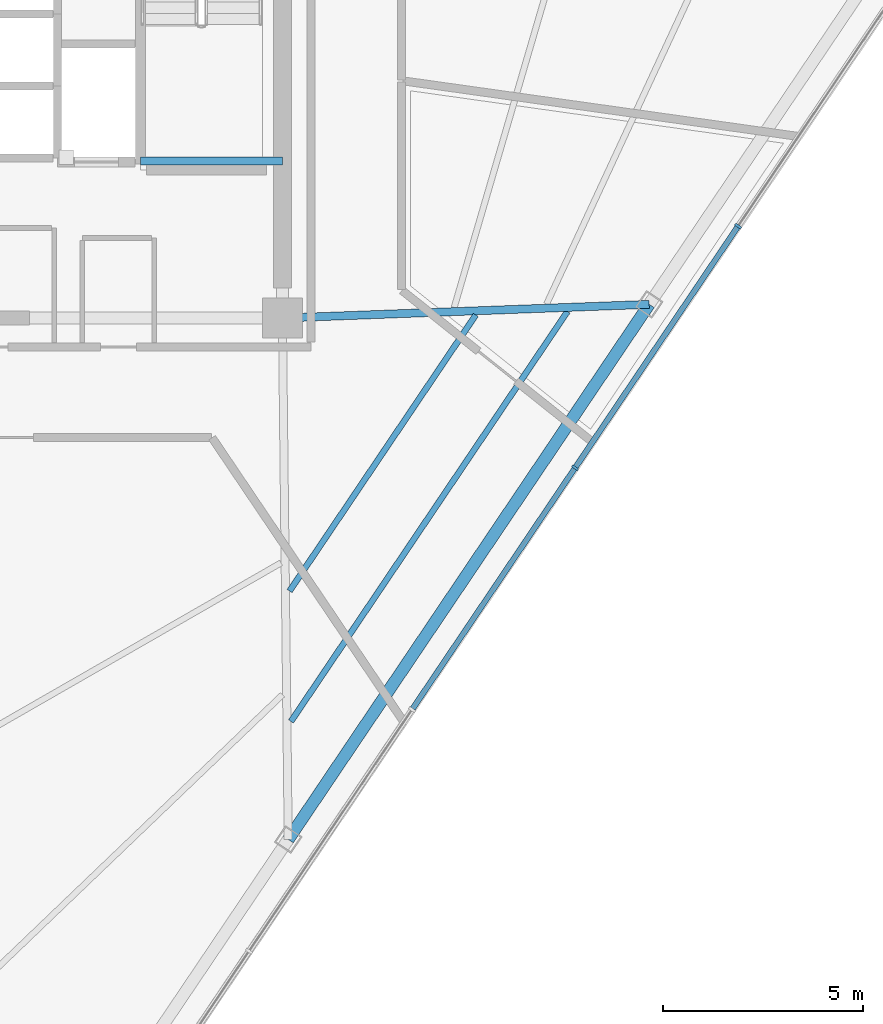
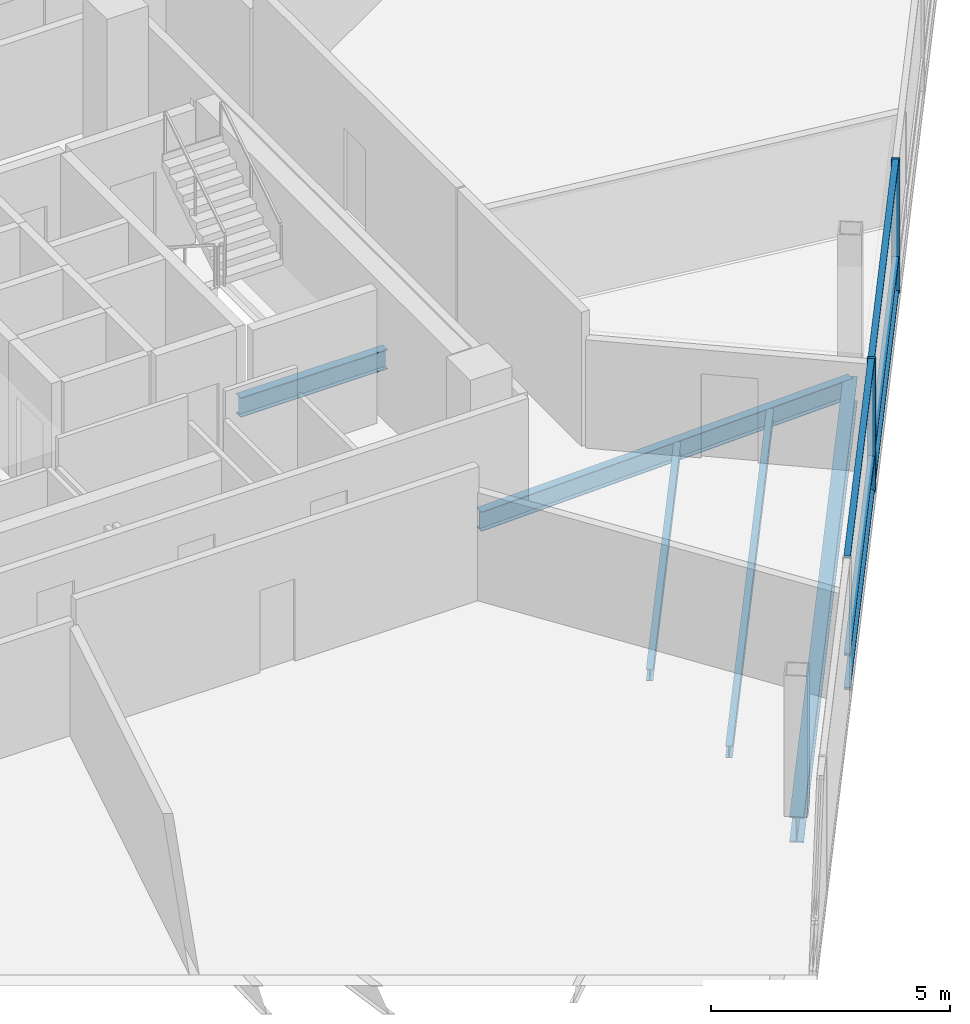
# One storey, part 4 of 13: 8 members, 5 beams, 1 element without a shape of its own.
"""IFC4 building model written with IfcOpenShell, lengths in metres."""

from ifc_helpers import new_model, si_unit, direction, frame, origin, origin_2d, place, context, subcontext, project, spatial, rectangle, i_section, extrude, material, layer, layer_set, material_profile, profile_set, type_object, element, aggregate, save


model = new_model("IFC4")

# Units and contexts
model_context = context("Model", 3, precision=1e-05, world=origin(), true_north=direction((0.0, 1.0)))
body_context = subcontext(model_context, "Body", "Model", "MODEL_VIEW")
ifc_project = project(units=[si_unit("LENGTHUNIT", "METRE"), si_unit("AREAUNIT", "SQUARE_METRE"), si_unit("VOLUMEUNIT", "CUBIC_METRE"), si_unit("PLANEANGLEUNIT", "RADIAN"), si_unit("MASSUNIT", "GRAM", prefix="KILO")], contexts=[model_context])

# Site, building, storey
site_placement = place(None, origin())
site = spatial("IfcSite", under=ifc_project, at=site_placement, CompositionType="ELEMENT")
building_placement = place(site_placement, origin())
building = spatial("IfcBuilding", under=site, at=building_placement, Name="Tharavind Bronze Gate", CompositionType="ELEMENT")
storey_placement = place(building_placement, frame((0.0, 0.0, 234.25)))
storey = spatial("IfcBuildingStorey", under=building, at=storey_placement, Name="L60", CompositionType="ELEMENT", Elevation=234.25)

# Curtain wall, members
ifc_material_1 = material(Name="Anodised Bronze Aluminium", Category="aluminium")
ifc_layer = layer(ifc_material_1, 0.219970703125)
ifc_layer_set = layer_set([ifc_layer], Name="Anodised Bronze Aluminium")
curtain_wall_type = type_object("IfcCurtainWallType", Name="UNITISED CURTAIN WALL UPPER OFFICE", PredefinedType="USERDEFINED", material=ifc_layer_set)
curtain_wall_placement = place(storey_placement, origin())
curtain_wall = element("IfcCurtainWall", 1, at=curtain_wall_placement, inside=storey, type_object=curtain_wall_type, Name="L60 unitised curtain wall upper office CW-L60-S2", ObjectType="UNITISED CURTAIN WALL", PredefinedType="USERDEFINED")
member_type_1 = type_object("IfcMemberType", Name="CURTAIN WALL BRONZE MULLION 65X180", PredefinedType="MULLION", material=ifc_material_1)
member_1_placement = place(storey_placement, frame((16.212890625, -11.34326171875, 0.0), z_axis=(0.0, 0.0, 1.0), x_axis=(0.559192903471, 0.829037572555, 0.0)))
member_1 = element("IfcMember", 2, at=member_1_placement, type_object=member_type_1, Name="CW-L60-S2 mullion 5", PredefinedType="MULLION", context=body_context, shape_type="SweptSolid", body=[
    extrude(rectangle(XDim=0.06494140625, YDim=0.179931640625, at=origin_2d()), origin(), (0.0, 0.0, 1.0), 3.419921875),
])
member_2_placement = place(storey_placement, frame((20.285400390625, -5.305419921875, 0.0), z_axis=(0.0, 0.0, 1.0), x_axis=(0.559192903471, 0.829037572555, 0.0)))
member_2 = element("IfcMember", 3, at=member_2_placement, type_object=member_type_1, Name="CW-L60-S2 mullion 6", PredefinedType="MULLION", context=body_context, shape_type="SweptSolid", body=[
    extrude(rectangle(XDim=0.06494140625, YDim=0.179931640625, at=origin_2d()), origin(), (0.0, 0.0, 1.0), 3.419921875),
])
member_type_2 = type_object("IfcMemberType", Name="CURTAIN WALL BRONZE TRANSOM 65X140", PredefinedType="USERDEFINED", material=ifc_material_1)
member_3_placement = place(storey_placement, frame((14.176513671875, -14.3623046875, 0.0), z_axis=(0.0, 0.0, 1.0), x_axis=(0.559192903471, 0.829037572555, 0.0)))
member_3 = element("IfcMember", 4, at=member_3_placement, type_object=member_type_2, Name="CW-L60-S2 transom TB4", ObjectType="TRANSOM", PredefinedType="USERDEFINED", context=body_context, shape_type="SweptSolid", body=[
    extrude(rectangle(XDim=7.22998046875, YDim=0.139892578125, at=origin_2d()), origin(), (0.0, 0.0, 1.0), 0.06494140625),
])
member_4_placement = place(storey_placement, frame((14.176513671875, -14.3623046875, 0.867431640625), z_axis=(0.0, 0.0, 1.0), x_axis=(0.559192903471, 0.829037572555, 0.0)))
member_4 = element("IfcMember", 5, at=member_4_placement, type_object=member_type_2, Name="CW-L60-S2 transom TS4", ObjectType="TRANSOM", PredefinedType="USERDEFINED", context=body_context, shape_type="SweptSolid", body=[
    extrude(rectangle(XDim=7.22998046875, YDim=0.139892578125, at=origin_2d()), origin(), (0.0, 0.0, 1.0), 0.06494140625),
])
member_5_placement = place(storey_placement, frame((14.176513671875, -14.3623046875, 3.35498046875), z_axis=(0.0, 0.0, 1.0), x_axis=(0.559192903471, 0.829037572555, 0.0)))
member_5 = element("IfcMember", 6, at=member_5_placement, type_object=member_type_2, Name="CW-L60-S2 transom TT4", ObjectType="TRANSOM", PredefinedType="USERDEFINED", context=body_context, shape_type="SweptSolid", body=[
    extrude(rectangle(XDim=7.22998046875, YDim=0.139892578125, at=origin_2d()), origin(), (0.0, 0.0, 1.0), 0.06494140625),
])
member_6_placement = place(storey_placement, frame((18.2490234375, -8.324462890625, 0.0), z_axis=(0.0, 0.0, 1.0), x_axis=(0.559192903471, 0.829037572555, 0.0)))
member_6 = element("IfcMember", 7, at=member_6_placement, type_object=member_type_2, Name="CW-L60-S2 transom TB5", ObjectType="TRANSOM", PredefinedType="USERDEFINED", context=body_context, shape_type="SweptSolid", body=[
    extrude(rectangle(XDim=7.22998046875, YDim=0.139892578125, at=origin_2d()), origin(), (0.0, 0.0, 1.0), 0.06494140625),
])
member_7_placement = place(storey_placement, frame((18.2490234375, -8.324462890625, 0.867431640625), z_axis=(0.0, 0.0, 1.0), x_axis=(0.559192903471, 0.829037572555, 0.0)))
member_7 = element("IfcMember", 8, at=member_7_placement, type_object=member_type_2, Name="CW-L60-S2 transom TS5", ObjectType="TRANSOM", PredefinedType="USERDEFINED", context=body_context, shape_type="SweptSolid", body=[
    extrude(rectangle(XDim=7.22998046875, YDim=0.139892578125, at=origin_2d()), origin(), (0.0, 0.0, 1.0), 0.06494140625),
])
member_8_placement = place(storey_placement, frame((18.2490234375, -8.324462890625, 3.35498046875), z_axis=(0.0, 0.0, 1.0), x_axis=(0.559192903471, 0.829037572555, 0.0)))
member_8 = element("IfcMember", 9, at=member_8_placement, type_object=member_type_2, Name="CW-L60-S2 transom TT5", ObjectType="TRANSOM", PredefinedType="USERDEFINED", context=body_context, shape_type="SweptSolid", body=[
    extrude(rectangle(XDim=7.22998046875, YDim=0.139892578125, at=origin_2d()), origin(), (0.0, 0.0, 1.0), 0.06494140625),
])
aggregate(curtain_wall, [member_1, member_2, member_3, member_4, member_5, member_6, member_7, member_8])

# Beams
ifc_material_2 = material(Name="Steel S355", Category="steel")
ifc_material_profile_1 = material_profile(ifc_material_2, i_section(OverallWidth=0.300048828125, OverallDepth=0.64990234375, WebThickness=0.01611328125, FlangeThickness=0.031005859375, at=origin_2d()), Name="HE650B")
ifc_profile_set_1 = profile_set([ifc_material_profile_1], Name="Steel S355")
beam_type_1 = type_object("IfcBeamType", Name="PRIMARY GIRDER HE650B", PredefinedType="USERDEFINED", material=ifc_profile_set_1)
beam_1_placement = place(storey_placement, frame((9.045654296875, -20.627685546875, -0.5048828125), z_axis=(0.559202164633, 0.829031325747, 0.0), x_axis=(-0.829031325747, 0.559202164633, 0.0)))
element("IfcBeam", 10, at=beam_1_placement, inside=storey, type_object=beam_type_1, Name="L60 primary girder he650b BM-L60-PRG06", ObjectType="GIRDER", PredefinedType="USERDEFINED", context=body_context, shape_type="SweptSolid", body=[
    extrude(i_section(OverallWidth=0.300048828125, OverallDepth=0.64990234375, WebThickness=0.01611328125, FlangeThickness=0.031005859375, at=origin_2d()), origin(), (0.0, 0.0, 1.0), 16.127197265625),
])
ifc_material_profile_2 = material_profile(ifc_material_2, i_section(OverallWidth=0.199951171875, OverallDepth=0.5, WebThickness=0.01025390625, FlangeThickness=0.01611328125, at=origin_2d()), Name="IPE500")
ifc_profile_set_2 = profile_set([ifc_material_profile_2], Name="Steel S355")
beam_type_2 = type_object("IfcBeamType", Name="PRIMARY GIRDER IPE500", PredefinedType="USERDEFINED", material=ifc_profile_set_2)
beam_2_placement = place(storey_placement, frame((5.35009765625, -3.679931640625, 1.35009765625), z_axis=(1.0, 0.0, 0.0), x_axis=(0.0, 1.0, 0.0)))
element("IfcBeam", 11, at=beam_2_placement, inside=storey, type_object=beam_type_2, Name="L60 primary girder ipe500 BM-LD-ST2-L60-1", ObjectType="GIRDER", PredefinedType="USERDEFINED", context=body_context, shape_type="SweptSolid", body=[
    extrude(i_section(OverallWidth=0.199951171875, OverallDepth=0.5, WebThickness=0.01025390625, FlangeThickness=0.01611328125, at=origin_2d()), origin(), (0.0, 0.0, 1.0), 3.5498046875),
])
beam_3_placement = place(storey_placement, frame((18.06396484375, -7.2578125, -0.429931640625), z_axis=(-0.999303187499, -0.037324783378, 0.0), x_axis=(0.037324783378, -0.999303187499, 0.0)))
element("IfcBeam", 12, at=beam_3_placement, inside=storey, type_object=beam_type_2, Name="L60 primary girder ipe500 BM-L60-RAD07", ObjectType="GIRDER", PredefinedType="USERDEFINED", context=body_context, shape_type="SweptSolid", body=[
    extrude(i_section(OverallWidth=0.199951171875, OverallDepth=0.5, WebThickness=0.01025390625, FlangeThickness=0.01611328125, at=origin_2d()), origin(), (0.0, 0.0, 1.0), 9.17041015625),
])
ifc_material_profile_3 = material_profile(ifc_material_2, i_section(OverallWidth=0.14990234375, OverallDepth=0.300048828125, WebThickness=0.007080078125, FlangeThickness=0.0107421875, at=origin_2d()), Name="IPE300")
ifc_profile_set_3 = profile_set([ifc_material_profile_3], Name="Steel S355")
beam_type_3 = type_object("IfcBeamType", Name="SECONDARY FLOOR JOIST IPE300", PredefinedType="JOIST", material=ifc_profile_set_3)
beam_4_placement = place(storey_placement, frame((9.07861328125, -14.420654296875, -0.330078125), z_axis=(0.559181536452, 0.829045239593, 0.0), x_axis=(-0.829045239593, 0.559181536452, 0.0)))
element("IfcBeam", 13, at=beam_4_placement, inside=storey, type_object=beam_type_3, Name="L60 secondary floor joist ipe300 BM-L60-JSTA06", PredefinedType="JOIST", context=body_context, shape_type="SweptSolid", body=[
    extrude(i_section(OverallWidth=0.14990234375, OverallDepth=0.300048828125, WebThickness=0.007080078125, FlangeThickness=0.0107421875, at=origin_2d()), origin(), (0.0, 0.0, 1.0), 8.3203125),
])
beam_5_placement = place(storey_placement, frame((9.114990234375, -17.677734375, -0.330078125), z_axis=(0.559189375042, 0.8290399525, 0.0), x_axis=(-0.8290399525, 0.559189375042, 0.0)))
element("IfcBeam", 14, at=beam_5_placement, inside=storey, type_object=beam_type_3, Name="L60 secondary floor joist ipe300 BM-L60-JSTB06", PredefinedType="JOIST", context=body_context, shape_type="SweptSolid", body=[
    extrude(i_section(OverallWidth=0.14990234375, OverallDepth=0.300048828125, WebThickness=0.007080078125, FlangeThickness=0.0107421875, at=origin_2d()), origin(), (0.0, 0.0, 1.0), 12.352294921875),
])

save(model, "model.ifc")
